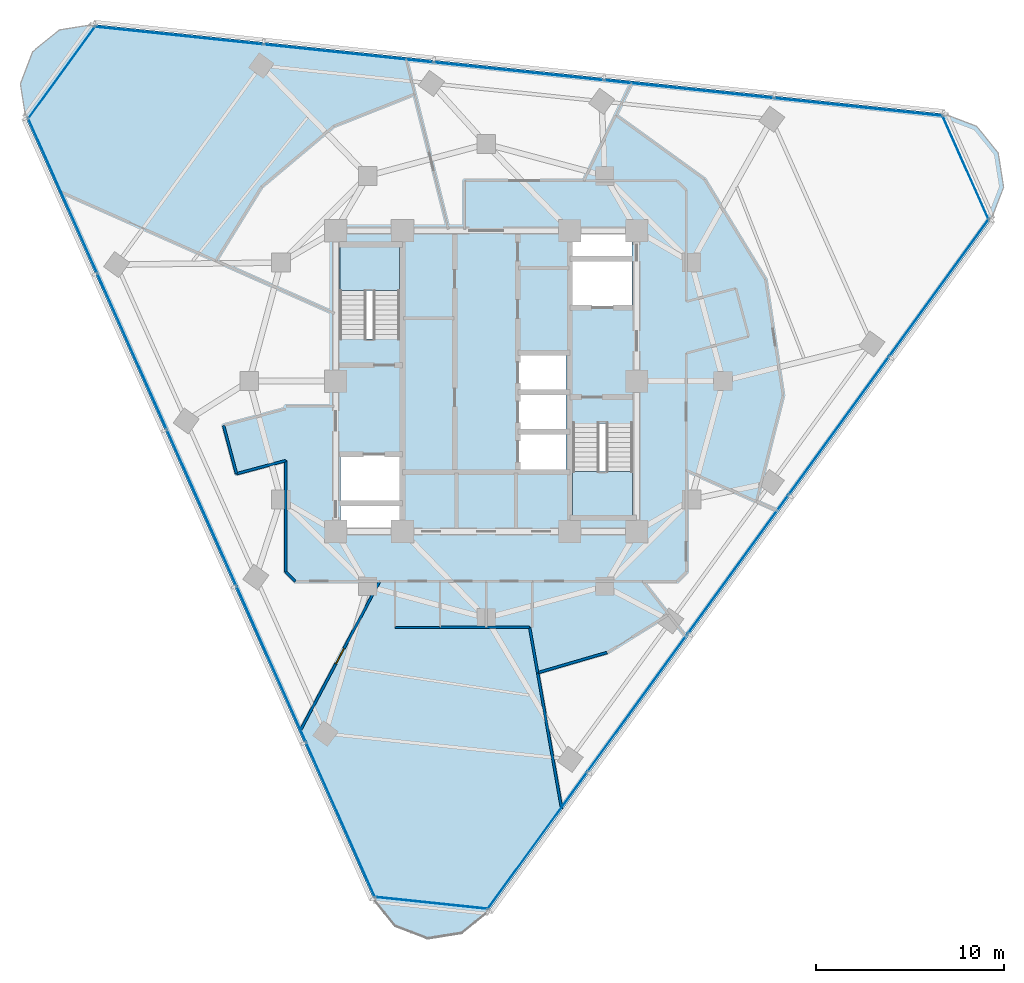
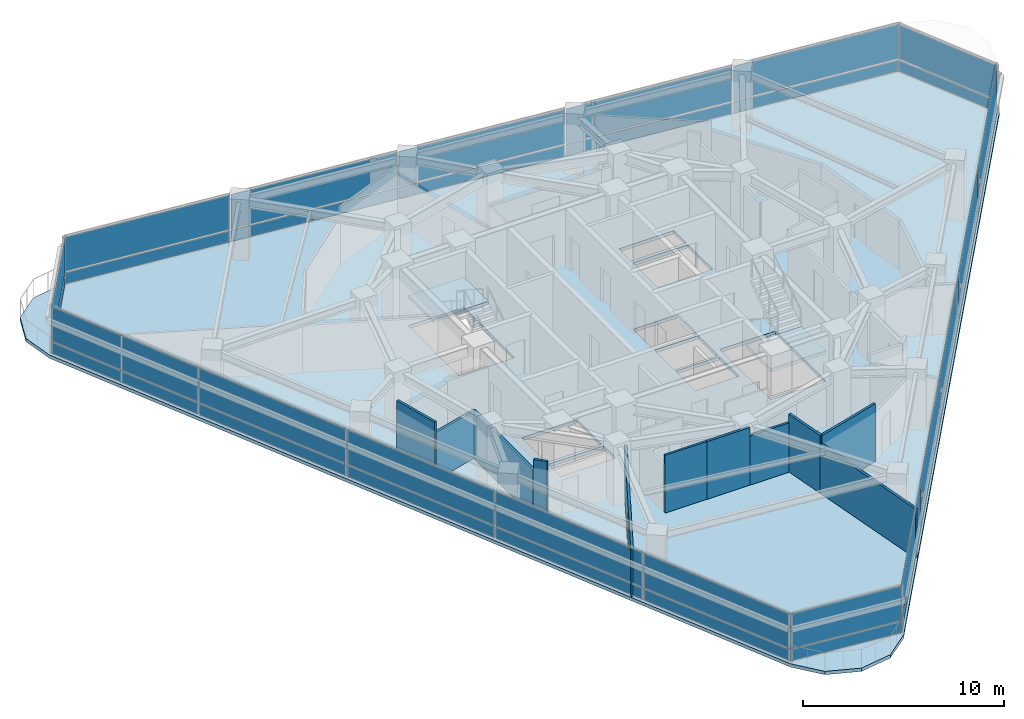
# One storey, part 7 of 15: 36 plates, 11 walls, 3 slabs, 1 door, 1 opening, 8 elements without a shape of their own.
"""IFC4 building model written with IfcOpenShell, lengths in metres."""

from ifc_helpers import new_model, si_unit, direction, frame, frame_2d, origin, origin_2d, place, context, subcontext, project, spatial, polyline, rectangle, outline, extrude, material, layer, layer_set, type_object, element, fill, aggregate, save


model = new_model("IFC4")

# Units and contexts
model_context = context("Model", 3, precision=1e-05, world=origin(), true_north=direction((0.0, 1.0)))
body_context = subcontext(model_context, "Body", "Model", "MODEL_VIEW")
ifc_project = project(units=[si_unit("LENGTHUNIT", "METRE"), si_unit("AREAUNIT", "SQUARE_METRE"), si_unit("VOLUMEUNIT", "CUBIC_METRE"), si_unit("PLANEANGLEUNIT", "RADIAN"), si_unit("MASSUNIT", "GRAM", prefix="KILO")], contexts=[model_context])

# Site, building, storey
site_placement = place(None, origin())
site = spatial("IfcSite", under=ifc_project, at=site_placement, CompositionType="ELEMENT")
building_placement = place(site_placement, origin())
building = spatial("IfcBuilding", under=site, at=building_placement, Name="Terralouvre Media Tower", CompositionType="ELEMENT")
storey_placement = place(building_placement, frame((0.0, 0.0, 237.39990234375)))
storey = spatial("IfcBuildingStorey", under=building, at=storey_placement, Name="L61", CompositionType="ELEMENT", Elevation=237.39990234375)

# Slab
ifc_material_1 = material(Name="Concrete C40/50", Category="concrete")
ifc_layer_1 = layer(ifc_material_1, 0.199951171875, Name="Composite Tower Floor Slab S-TYP200")
ifc_layer_set_1 = layer_set([ifc_layer_1], Name="Concrete C40/50")
slab_type_1 = type_object("IfcSlabType", Name="Composite Tower Floor Slab S-TYP200", PredefinedType="FLOOR", material=ifc_layer_set_1)
slab_1_placement = place(storey_placement, frame((0.0, 0.0, -0.199951171875), z_axis=(0.0, 0.0, 1.0), x_axis=(0.587785252292, 0.809016994375, 0.0)))
element("IfcSlab", 1, at=slab_1_placement, inside=storey, type_object=slab_type_1, Name="L61 Structural Floor Slab", PredefinedType="FLOOR", context=body_context, shape_type="SweptSolid", body=[
    extrude(outline(polyline([(-25.824462890625, -11.359619140625), (-26.300048828125, -13.134765625), (-25.824462890625, -14.90966796875), (-24.52490234375, -16.209228515625), (-22.75, -16.684814453125), (22.75, -16.684814453125), (24.52490234375, -16.209228515625), (25.824462890625, -14.90966796875), (26.300048828125, -13.134765625), (25.824462890625, -11.359619140625), (3.074462890625, 28.04443359375), (1.77490234375, 29.34375), (0.0, 29.8193359375), (-1.77490234375, 29.34375), (-3.074462890625, 28.04443359375), (-25.824462890625, -11.359619140625)]), holes=[polyline([(-8.043212890625, -0.157958984375), (-9.01416015625, -0.86328125), (-10.86572265625, 1.68505859375), (-9.894775390625, 2.390380859375), (-8.043212890625, -0.157958984375)]), polyline([(-5.8994140625, 1.399658203125), (-7.881591796875, -0.040283203125), (-9.733154296875, 2.508056640625), (-7.7509765625, 3.9482421875), (-5.8994140625, 1.399658203125)]), polyline([(-3.169677734375, -7.98876953125), (0.887451171875, -5.041015625), (2.7568359375, -7.61376953125), (-1.300537109375, -10.5615234375), (-3.169677734375, -7.98876953125)]), polyline([(0.2490234375, -5.072265625), (-1.320556640625, -6.212646484375), (-2.7900390625, -4.190185546875), (-1.220458984375, -3.0498046875), (0.2490234375, -5.072265625)]), polyline([(1.947998046875, -3.838134765625), (0.37841796875, -4.978271484375), (-1.091064453125, -2.955810546875), (0.478515625, -1.8154296875), (1.947998046875, -3.838134765625)]), polyline([(3.64697265625, -2.603759765625), (2.077392578125, -3.743896484375), (0.60791015625, -1.721435546875), (2.177490234375, -0.5810546875), (3.64697265625, -2.603759765625)]), polyline([(3.169677734375, 7.98876953125), (-0.887451171875, 5.041015625), (-2.7568359375, 7.61376953125), (1.300537109375, 10.5615234375), (3.169677734375, 7.98876953125)]), polyline([(7.7509765625, -3.9482421875), (5.8994140625, -1.399658203125), (7.881591796875, 0.040283203125), (9.733154296875, -2.508056640625), (7.7509765625, -3.9482421875)]), polyline([(9.894775390625, -2.390380859375), (8.043212890625, 0.157958984375), (9.01416015625, 0.86328125), (10.86572265625, -1.68505859375), (9.894775390625, -2.390380859375)])]), origin(), (0.0, 0.0, 1.0), 0.199951171875),
])

# Stair, slab
ifc_material_2 = material(Name="Concrete C45/55", Category="concrete")
stair_type_1 = type_object("IfcStairType", Name="Dogleg Stair Assembly ST-01", PredefinedType="HALF_TURN_STAIR", material=ifc_material_2)
stair_1_placement = place(storey_placement, origin())
stair_1 = element("IfcStair", 2, at=stair_1_placement, inside=storey, type_object=stair_type_1, Name="L61 Core Pressurised Exit Stair ST-01", PredefinedType="HALF_TURN_STAIR")
ifc_material_3 = material(Name="Concrete C45/55", Category="concrete")
ifc_layer_2 = layer(ifc_material_3, 0.199951171875, Name="Reinforced Concrete Stair Half-Landing SL-LD1")
ifc_layer_set_2 = layer_set([ifc_layer_2], Name="Concrete C45/55")
slab_type_2 = type_object("IfcSlabType", Name="Reinforced Concrete Stair Half-Landing SL-LD1", PredefinedType="LANDING", material=ifc_layer_set_2)
slab_2_placement = place(storey_placement, frame((0.0, 0.0, 1.650146484375)))
slab_2 = element("IfcSlab", 3, at=slab_2_placement, type_object=slab_type_2, Name="ST-01 landing 1", PredefinedType="LANDING", context=body_context, shape_type="SweptSolid", body=[
    extrude(outline(polyline([(-4.60009765625, 4.820068359375), (-4.60009765625, 7.260009765625), (-7.780029296875, 7.260009765625), (-7.780029296875, 4.820068359375), (-4.60009765625, 4.820068359375)])), origin(), (0.0, 0.0, 1.0), 0.199951171875),
])
aggregate(stair_1, [slab_2])

ifc_material_4 = material(Name="Concrete C45/55", Category="concrete")
stair_type_2 = type_object("IfcStairType", Name="Dogleg Stair Assembly ST-02", PredefinedType="HALF_TURN_STAIR", material=ifc_material_4)
stair_2_placement = place(storey_placement, origin())
stair_2 = element("IfcStair", 4, at=stair_2_placement, inside=storey, type_object=stair_type_2, Name="L61 Core Pressurised Exit Stair ST-02", PredefinedType="HALF_TURN_STAIR")
slab_3_placement = place(storey_placement, frame((0.0, 0.0, 1.650146484375)))
slab_3 = element("IfcSlab", 5, at=slab_3_placement, type_object=slab_type_2, Name="ST-02 landing 1", PredefinedType="LANDING", context=body_context, shape_type="SweptSolid", body=[
    extrude(outline(polyline([(4.60009765625, -4.820068359375), (4.60009765625, -7.260009765625), (7.780029296875, -7.260009765625), (7.780029296875, -4.820068359375), (4.60009765625, -4.820068359375)])), origin(), (0.0, 0.0, 1.0), 0.199951171875),
])
aggregate(stair_2, [slab_3])

# Curtain wall, plates
ifc_material_5 = material(Name="Low-iron laminated double glazing with solar-control coating", Category="glass")
ifc_layer_3 = layer(ifc_material_5, 0.1650390625, Name="Rounded Wind-Corner Curved Glazing CW-04")
ifc_layer_set_3 = layer_set([ifc_layer_3], Name="Low-iron laminated double glazing with solar-control coating")
curtain_wall_type_1 = type_object("IfcCurtainWallType", Name="Rounded Wind-Corner Curved Glazing CW-04", PredefinedType="NOTDEFINED", material=ifc_layer_set_3)
curtain_wall_1_placement = place(storey_placement, origin())
curtain_wall_1 = element("IfcCurtainWall", 6, at=curtain_wall_1_placement, inside=storey, type_object=curtain_wall_type_1, Name="L61 Rounded Wind-Corner Curtain Wall C0", PredefinedType="NOTDEFINED")
ifc_material_6 = material(Name="Low-iron laminated double glazing with solar-control coating", Category="glass")
ifc_layer_4 = layer(ifc_material_6, 0.0400390625, Name="Rounded Corner Laminated Vision Panel CWP-03")
ifc_layer_set_4 = layer_set([ifc_layer_4], Name="Low-iron laminated double glazing with solar-control coating")
plate_type_1 = type_object("IfcPlateType", Name="Rounded Corner Laminated Vision Panel CWP-03", PredefinedType="CURTAIN_PANEL", material=ifc_layer_set_4)
plate_1_placement = place(storey_placement, frame((-2.916748046875, -27.75146484375, 0.0751953125), z_axis=(0.0, 0.0, 1.0), x_axis=(0.994521944551, -0.104527995322, 0.0)))
plate_1 = element("IfcPlate", 7, at=plate_1_placement, type_object=plate_type_1, Name="CW-04 panel 1.1", PredefinedType="CURTAIN_PANEL", context=body_context, shape_type="SweptSolid", body=[
    extrude(rectangle(XDim=5.998779296875, YDim=0.035888671875, at=origin_2d()), origin(), (0.0, 0.0, 1.0), 0.6875),
])
plate_2_placement = place(storey_placement, frame((-2.916748046875, -27.75146484375, 0.837646484375), z_axis=(0.0, 0.0, 1.0), x_axis=(0.994521944551, -0.104527995322, 0.0)))
plate_2 = element("IfcPlate", 8, at=plate_2_placement, type_object=plate_type_1, Name="CW-04 panel 1.2", PredefinedType="CURTAIN_PANEL", context=body_context, shape_type="SweptSolid", body=[
    extrude(rectangle(XDim=5.998779296875, YDim=0.035888671875, at=origin_2d()), origin(), (0.0, 0.0, 1.0), 2.08740234375),
])
aggregate(curtain_wall_1, [plate_1, plate_2])

curtain_wall_2_placement = place(storey_placement, origin())
curtain_wall_2 = element("IfcCurtainWall", 9, at=curtain_wall_2_placement, inside=storey, type_object=curtain_wall_type_1, Name="L61 Rounded Wind-Corner Curtain Wall C1", PredefinedType="NOTDEFINED")
plate_3_placement = place(storey_placement, frame((25.491943359375, 11.349853515625, 0.0751953125), z_axis=(0.0, 0.0, 1.0), x_axis=(-0.406737441315, 0.913545102243, 0.0)))
plate_3 = element("IfcPlate", 10, at=plate_3_placement, type_object=plate_type_1, Name="CW-04 panel 1.1", PredefinedType="CURTAIN_PANEL", context=body_context, shape_type="SweptSolid", body=[
    extrude(rectangle(XDim=5.998779296875, YDim=0.035888671875, at=origin_2d()), origin(), (0.0, 0.0, 1.0), 0.6875),
])
plate_4_placement = place(storey_placement, frame((25.491943359375, 11.349853515625, 0.837646484375), z_axis=(0.0, 0.0, 1.0), x_axis=(-0.406737441315, 0.913545102243, 0.0)))
plate_4 = element("IfcPlate", 11, at=plate_4_placement, type_object=plate_type_1, Name="CW-04 panel 1.2", PredefinedType="CURTAIN_PANEL", context=body_context, shape_type="SweptSolid", body=[
    extrude(rectangle(XDim=5.998779296875, YDim=0.035888671875, at=origin_2d()), origin(), (0.0, 0.0, 1.0), 2.08740234375),
])
aggregate(curtain_wall_2, [plate_3, plate_4])

curtain_wall_3_placement = place(storey_placement, origin())
curtain_wall_3 = element("IfcCurtainWall", 12, at=curtain_wall_3_placement, inside=storey, type_object=curtain_wall_type_1, Name="L61 Rounded Wind-Corner Curtain Wall C2", PredefinedType="NOTDEFINED")
plate_5_placement = place(storey_placement, frame((-22.5751953125, 16.40185546875, 0.0751953125), z_axis=(0.0, 0.0, 1.0), x_axis=(-0.58778588998, -0.809016531067, 0.0)))
plate_5 = element("IfcPlate", 13, at=plate_5_placement, type_object=plate_type_1, Name="CW-04 panel 1.1", PredefinedType="CURTAIN_PANEL", context=body_context, shape_type="SweptSolid", body=[
    extrude(rectangle(XDim=5.998779296875, YDim=0.035888671875, at=origin_2d()), origin(), (0.0, 0.0, 1.0), 0.6875),
])
plate_6_placement = place(storey_placement, frame((-22.5751953125, 16.40185546875, 0.837646484375), z_axis=(0.0, 0.0, 1.0), x_axis=(-0.58778588998, -0.809016531067, 0.0)))
plate_6 = element("IfcPlate", 14, at=plate_6_placement, type_object=plate_type_1, Name="CW-04 panel 1.2", PredefinedType="CURTAIN_PANEL", context=body_context, shape_type="SweptSolid", body=[
    extrude(rectangle(XDim=5.998779296875, YDim=0.035888671875, at=origin_2d()), origin(), (0.0, 0.0, 1.0), 2.08740234375),
])
aggregate(curtain_wall_3, [plate_5, plate_6])

ifc_material_7 = material(Name="Low-iron laminated double glazing with solar-control coating", Category="glass")
ifc_layer_5 = layer(ifc_material_7, 0.1650390625, Name="Upper Executive Tower Curtain Wall CW-05")
ifc_layer_set_5 = layer_set([ifc_layer_5], Name="Low-iron laminated double glazing with solar-control coating")
curtain_wall_type_2 = type_object("IfcCurtainWallType", Name="Upper Executive Tower Curtain Wall CW-05", PredefinedType="NOTDEFINED", material=ifc_layer_set_5)
curtain_wall_4_placement = place(storey_placement, origin())
curtain_wall_4 = element("IfcCurtainWall", 15, at=curtain_wall_4_placement, inside=storey, type_object=curtain_wall_type_2, Name="L61 Facade Curtain Wall F0", PredefinedType="NOTDEFINED")
ifc_material_8 = material(Name="Low-iron laminated double glazing with solar-control coating", Category="glass")
ifc_layer_6 = layer(ifc_material_8, 0.035888671875, Name="Vision Double-Glazed Unit CWP-01")
ifc_layer_set_6 = layer_set([ifc_layer_6], Name="Low-iron laminated double glazing with solar-control coating")
plate_type_2 = type_object("IfcPlateType", Name="Vision Double-Glazed Unit CWP-01", PredefinedType="CURTAIN_PANEL", material=ifc_layer_set_6)
plate_7_placement = place(storey_placement, frame((2.71435546875, -24.4453125, 0.0751953125), z_axis=(0.0, 0.0, 1.0), x_axis=(0.587785300879, 0.809016959074, 0.0)))
plate_7 = element("IfcPlate", 16, at=plate_7_placement, type_object=plate_type_2, Name="CW-05 panel 1.1", PredefinedType="CURTAIN_PANEL", context=body_context, shape_type="SweptSolid", body=[
    extrude(rectangle(XDim=8.987548828125, YDim=0.035888671875, at=origin_2d()), origin(), (0.0, 0.0, 1.0), 0.6875),
])
plate_8_placement = place(storey_placement, frame((2.71435546875, -24.4453125, 0.837646484375), z_axis=(0.0, 0.0, 1.0), x_axis=(0.587785300879, 0.809016959074, 0.0)))
plate_8 = element("IfcPlate", 17, at=plate_8_placement, type_object=plate_type_2, Name="CW-05 panel 1.2", PredefinedType="CURTAIN_PANEL", context=body_context, shape_type="SweptSolid", body=[
    extrude(rectangle(XDim=8.987548828125, YDim=0.035888671875, at=origin_2d()), origin(), (0.0, 0.0, 1.0), 2.08740234375),
])
plate_9_placement = place(storey_placement, frame((8.05224609375, -17.0986328125, 0.0751953125), z_axis=(0.0, 0.0, 1.0), x_axis=(0.587785300879, 0.809016959074, 0.0)))
plate_9 = element("IfcPlate", 18, at=plate_9_placement, type_object=plate_type_2, Name="CW-05 panel 2.1", PredefinedType="CURTAIN_PANEL", context=body_context, shape_type="SweptSolid", body=[
    extrude(rectangle(XDim=9.02490234375, YDim=0.035888671875, at=origin_2d()), origin(), (0.0, 0.0, 1.0), 0.6875),
])
plate_10_placement = place(storey_placement, frame((8.05224609375, -17.0986328125, 0.837646484375), z_axis=(0.0, 0.0, 1.0), x_axis=(0.587785300879, 0.809016959074, 0.0)))
plate_10 = element("IfcPlate", 19, at=plate_10_placement, type_object=plate_type_2, Name="CW-05 panel 2.2", PredefinedType="CURTAIN_PANEL", context=body_context, shape_type="SweptSolid", body=[
    extrude(rectangle(XDim=9.02490234375, YDim=0.035888671875, at=origin_2d()), origin(), (0.0, 0.0, 1.0), 2.08740234375),
])
plate_11_placement = place(storey_placement, frame((13.401123046875, -9.736572265625, 0.0751953125), z_axis=(0.0, 0.0, 1.0), x_axis=(0.587785300879, 0.809016959074, 0.0)))
plate_11 = element("IfcPlate", 20, at=plate_11_placement, type_object=plate_type_2, Name="CW-05 panel 3.1", PredefinedType="CURTAIN_PANEL", context=body_context, shape_type="SweptSolid", body=[
    extrude(rectangle(XDim=9.02490234375, YDim=0.035888671875, at=origin_2d()), origin(), (0.0, 0.0, 1.0), 0.6875),
])
plate_12_placement = place(storey_placement, frame((13.401123046875, -9.736572265625, 0.837646484375), z_axis=(0.0, 0.0, 1.0), x_axis=(0.587785300879, 0.809016959074, 0.0)))
plate_12 = element("IfcPlate", 21, at=plate_12_placement, type_object=plate_type_2, Name="CW-05 panel 3.2", PredefinedType="CURTAIN_PANEL", context=body_context, shape_type="SweptSolid", body=[
    extrude(rectangle(XDim=9.02490234375, YDim=0.035888671875, at=origin_2d()), origin(), (0.0, 0.0, 1.0), 2.08740234375),
])
plate_13_placement = place(storey_placement, frame((18.75, -2.37451171875, 0.0751953125), z_axis=(0.0, 0.0, 1.0), x_axis=(0.587785300879, 0.809016959074, 0.0)))
plate_13 = element("IfcPlate", 22, at=plate_13_placement, type_object=plate_type_2, Name="CW-05 panel 4.1", PredefinedType="CURTAIN_PANEL", context=body_context, shape_type="SweptSolid", body=[
    extrude(rectangle(XDim=9.02490234375, YDim=0.035888671875, at=origin_2d()), origin(), (0.0, 0.0, 1.0), 0.6875),
])
plate_14_placement = place(storey_placement, frame((18.75, -2.37451171875, 0.837646484375), z_axis=(0.0, 0.0, 1.0), x_axis=(0.587785300879, 0.809016959074, 0.0)))
plate_14 = element("IfcPlate", 23, at=plate_14_placement, type_object=plate_type_2, Name="CW-05 panel 4.2", PredefinedType="CURTAIN_PANEL", context=body_context, shape_type="SweptSolid", body=[
    extrude(rectangle(XDim=9.02490234375, YDim=0.035888671875, at=origin_2d()), origin(), (0.0, 0.0, 1.0), 2.08740234375),
])
plate_15_placement = place(storey_placement, frame((24.087890625, 4.972412109375, 0.0751953125), z_axis=(0.0, 0.0, 1.0), x_axis=(0.587785300879, 0.809016959074, 0.0)))
plate_15 = element("IfcPlate", 24, at=plate_15_placement, type_object=plate_type_2, Name="CW-05 panel 5.1", PredefinedType="CURTAIN_PANEL", context=body_context, shape_type="SweptSolid", body=[
    extrude(rectangle(XDim=8.987548828125, YDim=0.035888671875, at=origin_2d()), origin(), (0.0, 0.0, 1.0), 0.6875),
])
plate_16_placement = place(storey_placement, frame((24.087890625, 4.972412109375, 0.837646484375), z_axis=(0.0, 0.0, 1.0), x_axis=(0.587785300879, 0.809016959074, 0.0)))
plate_16 = element("IfcPlate", 25, at=plate_16_placement, type_object=plate_type_2, Name="CW-05 panel 5.2", PredefinedType="CURTAIN_PANEL", context=body_context, shape_type="SweptSolid", body=[
    extrude(rectangle(XDim=8.987548828125, YDim=0.035888671875, at=origin_2d()), origin(), (0.0, 0.0, 1.0), 2.08740234375),
])
aggregate(curtain_wall_4, [plate_7, plate_8, plate_9, plate_10, plate_11, plate_12, plate_13, plate_14, plate_15, plate_16])

curtain_wall_5_placement = place(storey_placement, origin())
curtain_wall_5 = element("IfcCurtainWall", 26, at=curtain_wall_5_placement, inside=storey, type_object=curtain_wall_type_2, Name="L61 Facade Curtain Wall F1", PredefinedType="NOTDEFINED")
plate_17_placement = place(storey_placement, frame((19.813232421875, 14.573486328125, 0.0751953125), z_axis=(0.0, 0.0, 1.0), x_axis=(-0.994521885028, 0.104528561651, 0.0)))
plate_17 = element("IfcPlate", 27, at=plate_17_placement, type_object=plate_type_2, Name="CW-05 panel 1.1", PredefinedType="CURTAIN_PANEL", context=body_context, shape_type="SweptSolid", body=[
    extrude(rectangle(XDim=8.987548828125, YDim=0.035888671875, at=origin_2d()), origin(), (0.0, 0.0, 1.0), 0.6875),
])
plate_18_placement = place(storey_placement, frame((19.813232421875, 14.573486328125, 0.837646484375), z_axis=(0.0, 0.0, 1.0), x_axis=(-0.994521885028, 0.104528561651, 0.0)))
plate_18 = element("IfcPlate", 28, at=plate_18_placement, type_object=plate_type_2, Name="CW-05 panel 1.2", PredefinedType="CURTAIN_PANEL", context=body_context, shape_type="SweptSolid", body=[
    extrude(rectangle(XDim=8.987548828125, YDim=0.035888671875, at=origin_2d()), origin(), (0.0, 0.0, 1.0), 2.08740234375),
])
plate_19_placement = place(storey_placement, frame((10.78173828125, 15.522705078125, 0.0751953125), z_axis=(0.0, 0.0, 1.0), x_axis=(-0.994521885028, 0.104528561651, 0.0)))
plate_19 = element("IfcPlate", 29, at=plate_19_placement, type_object=plate_type_2, Name="CW-05 panel 2.1", PredefinedType="CURTAIN_PANEL", context=body_context, shape_type="SweptSolid", body=[
    extrude(rectangle(XDim=9.02490234375, YDim=0.035888671875, at=origin_2d()), origin(), (0.0, 0.0, 1.0), 0.6875),
])
plate_20_placement = place(storey_placement, frame((10.78173828125, 15.522705078125, 0.837646484375), z_axis=(0.0, 0.0, 1.0), x_axis=(-0.994521885028, 0.104528561651, 0.0)))
plate_20 = element("IfcPlate", 30, at=plate_20_placement, type_object=plate_type_2, Name="CW-05 panel 2.2", PredefinedType="CURTAIN_PANEL", context=body_context, shape_type="SweptSolid", body=[
    extrude(rectangle(XDim=9.02490234375, YDim=0.035888671875, at=origin_2d()), origin(), (0.0, 0.0, 1.0), 2.08740234375),
])
plate_21_placement = place(storey_placement, frame((1.7314453125, 16.473876953125, 0.0751953125), z_axis=(0.0, 0.0, 1.0), x_axis=(-0.994521885028, 0.104528561651, 0.0)))
plate_21 = element("IfcPlate", 31, at=plate_21_placement, type_object=plate_type_2, Name="CW-05 panel 3.1", PredefinedType="CURTAIN_PANEL", context=body_context, shape_type="SweptSolid", body=[
    extrude(rectangle(XDim=9.02490234375, YDim=0.035888671875, at=origin_2d()), origin(), (0.0, 0.0, 1.0), 0.6875),
])
plate_22_placement = place(storey_placement, frame((1.7314453125, 16.473876953125, 0.837646484375), z_axis=(0.0, 0.0, 1.0), x_axis=(-0.994521885028, 0.104528561651, 0.0)))
plate_22 = element("IfcPlate", 32, at=plate_22_placement, type_object=plate_type_2, Name="CW-05 panel 3.2", PredefinedType="CURTAIN_PANEL", context=body_context, shape_type="SweptSolid", body=[
    extrude(rectangle(XDim=9.02490234375, YDim=0.035888671875, at=origin_2d()), origin(), (0.0, 0.0, 1.0), 2.08740234375),
])
plate_23_placement = place(storey_placement, frame((-7.318603515625, 17.42529296875, 0.0751953125), z_axis=(0.0, 0.0, 1.0), x_axis=(-0.994521885028, 0.104528561651, 0.0)))
plate_23 = element("IfcPlate", 33, at=plate_23_placement, type_object=plate_type_2, Name="CW-05 panel 4.1", PredefinedType="CURTAIN_PANEL", context=body_context, shape_type="SweptSolid", body=[
    extrude(rectangle(XDim=9.02490234375, YDim=0.035888671875, at=origin_2d()), origin(), (0.0, 0.0, 1.0), 0.6875),
])
plate_24_placement = place(storey_placement, frame((-7.318603515625, 17.42529296875, 0.837646484375), z_axis=(0.0, 0.0, 1.0), x_axis=(-0.994521885028, 0.104528561651, 0.0)))
plate_24 = element("IfcPlate", 34, at=plate_24_placement, type_object=plate_type_2, Name="CW-05 panel 4.2", PredefinedType="CURTAIN_PANEL", context=body_context, shape_type="SweptSolid", body=[
    extrude(rectangle(XDim=9.02490234375, YDim=0.035888671875, at=origin_2d()), origin(), (0.0, 0.0, 1.0), 2.08740234375),
])
plate_25_placement = place(storey_placement, frame((-16.35009765625, 18.37451171875, 0.0751953125), z_axis=(0.0, 0.0, 1.0), x_axis=(-0.994521885028, 0.104528561651, 0.0)))
plate_25 = element("IfcPlate", 35, at=plate_25_placement, type_object=plate_type_2, Name="CW-05 panel 5.1", PredefinedType="CURTAIN_PANEL", context=body_context, shape_type="SweptSolid", body=[
    extrude(rectangle(XDim=8.987548828125, YDim=0.035888671875, at=origin_2d()), origin(), (0.0, 0.0, 1.0), 0.6875),
])
plate_26_placement = place(storey_placement, frame((-16.35009765625, 18.37451171875, 0.837646484375), z_axis=(0.0, 0.0, 1.0), x_axis=(-0.994521885028, 0.104528561651, 0.0)))
plate_26 = element("IfcPlate", 36, at=plate_26_placement, type_object=plate_type_2, Name="CW-05 panel 5.2", PredefinedType="CURTAIN_PANEL", context=body_context, shape_type="SweptSolid", body=[
    extrude(rectangle(XDim=8.987548828125, YDim=0.035888671875, at=origin_2d()), origin(), (0.0, 0.0, 1.0), 2.08740234375),
])
aggregate(curtain_wall_5, [plate_17, plate_18, plate_19, plate_20, plate_21, plate_22, plate_23, plate_24, plate_25, plate_26])

curtain_wall_6_placement = place(storey_placement, origin())
curtain_wall_6 = element("IfcCurtainWall", 37, at=curtain_wall_6_placement, inside=storey, type_object=curtain_wall_type_2, Name="L61 Facade Curtain Wall F2", PredefinedType="NOTDEFINED")
plate_27_placement = place(storey_placement, frame((-22.527587890625, 9.871826171875, 0.0751953125), z_axis=(0.0, 0.0, 1.0), x_axis=(0.406736679636, -0.913545441365, 0.0)))
plate_27 = element("IfcPlate", 38, at=plate_27_placement, type_object=plate_type_2, Name="CW-05 panel 1.1", PredefinedType="CURTAIN_PANEL", context=body_context, shape_type="SweptSolid", body=[
    extrude(rectangle(XDim=8.987548828125, YDim=0.035888671875, at=origin_2d()), origin(), (0.0, 0.0, 1.0), 0.6875),
])
plate_28_placement = place(storey_placement, frame((-22.527587890625, 9.871826171875, 0.837646484375), z_axis=(0.0, 0.0, 1.0), x_axis=(0.406736679636, -0.913545441365, 0.0)))
plate_28 = element("IfcPlate", 39, at=plate_28_placement, type_object=plate_type_2, Name="CW-05 panel 1.2", PredefinedType="CURTAIN_PANEL", context=body_context, shape_type="SweptSolid", body=[
    extrude(rectangle(XDim=8.987548828125, YDim=0.035888671875, at=origin_2d()), origin(), (0.0, 0.0, 1.0), 2.08740234375),
])
plate_29_placement = place(storey_placement, frame((-18.833984375, 1.57568359375, 0.0751953125), z_axis=(0.0, 0.0, 1.0), x_axis=(0.406736679636, -0.913545441365, 0.0)))
plate_29 = element("IfcPlate", 40, at=plate_29_placement, type_object=plate_type_2, Name="CW-05 panel 2.1", PredefinedType="CURTAIN_PANEL", context=body_context, shape_type="SweptSolid", body=[
    extrude(rectangle(XDim=9.02490234375, YDim=0.035888671875, at=origin_2d()), origin(), (0.0, 0.0, 1.0), 0.6875),
])
plate_30_placement = place(storey_placement, frame((-18.833984375, 1.57568359375, 0.837646484375), z_axis=(0.0, 0.0, 1.0), x_axis=(0.406736679636, -0.913545441365, 0.0)))
plate_30 = element("IfcPlate", 41, at=plate_30_placement, type_object=plate_type_2, Name="CW-05 panel 2.2", PredefinedType="CURTAIN_PANEL", context=body_context, shape_type="SweptSolid", body=[
    extrude(rectangle(XDim=9.02490234375, YDim=0.035888671875, at=origin_2d()), origin(), (0.0, 0.0, 1.0), 2.08740234375),
])
plate_31_placement = place(storey_placement, frame((-15.132568359375, -6.737548828125, 0.0751953125), z_axis=(0.0, 0.0, 1.0), x_axis=(0.406736679636, -0.913545441365, 0.0)))
plate_31 = element("IfcPlate", 42, at=plate_31_placement, type_object=plate_type_2, Name="CW-05 panel 3.1", PredefinedType="CURTAIN_PANEL", context=body_context, shape_type="SweptSolid", body=[
    extrude(rectangle(XDim=9.02490234375, YDim=0.035888671875, at=origin_2d()), origin(), (0.0, 0.0, 1.0), 0.6875),
])
plate_32_placement = place(storey_placement, frame((-15.132568359375, -6.737548828125, 0.837646484375), z_axis=(0.0, 0.0, 1.0), x_axis=(0.406736679636, -0.913545441365, 0.0)))
plate_32 = element("IfcPlate", 43, at=plate_32_placement, type_object=plate_type_2, Name="CW-05 panel 3.2", PredefinedType="CURTAIN_PANEL", context=body_context, shape_type="SweptSolid", body=[
    extrude(rectangle(XDim=9.02490234375, YDim=0.035888671875, at=origin_2d()), origin(), (0.0, 0.0, 1.0), 2.08740234375),
])
plate_33_placement = place(storey_placement, frame((-11.431396484375, -15.05078125, 0.0751953125), z_axis=(0.0, 0.0, 1.0), x_axis=(0.406736679636, -0.913545441365, 0.0)))
plate_33 = element("IfcPlate", 44, at=plate_33_placement, type_object=plate_type_2, Name="CW-05 panel 4.1", PredefinedType="CURTAIN_PANEL", context=body_context, shape_type="SweptSolid", body=[
    extrude(rectangle(XDim=9.02490234375, YDim=0.035888671875, at=origin_2d()), origin(), (0.0, 0.0, 1.0), 0.6875),
])
plate_34_placement = place(storey_placement, frame((-11.431396484375, -15.05078125, 0.837646484375), z_axis=(0.0, 0.0, 1.0), x_axis=(0.406736679636, -0.913545441365, 0.0)))
plate_34 = element("IfcPlate", 45, at=plate_34_placement, type_object=plate_type_2, Name="CW-05 panel 4.2", PredefinedType="CURTAIN_PANEL", context=body_context, shape_type="SweptSolid", body=[
    extrude(rectangle(XDim=9.02490234375, YDim=0.035888671875, at=origin_2d()), origin(), (0.0, 0.0, 1.0), 2.08740234375),
])
plate_35_placement = place(storey_placement, frame((-7.737548828125, -23.346923828125, 0.0751953125), z_axis=(0.0, 0.0, 1.0), x_axis=(0.406736679636, -0.913545441365, 0.0)))
plate_35 = element("IfcPlate", 46, at=plate_35_placement, type_object=plate_type_2, Name="CW-05 panel 5.1", PredefinedType="CURTAIN_PANEL", context=body_context, shape_type="SweptSolid", body=[
    extrude(rectangle(XDim=8.987548828125, YDim=0.035888671875, at=origin_2d()), origin(), (0.0, 0.0, 1.0), 0.6875),
])
plate_36_placement = place(storey_placement, frame((-7.737548828125, -23.346923828125, 0.837646484375), z_axis=(0.0, 0.0, 1.0), x_axis=(0.406736679636, -0.913545441365, 0.0)))
plate_36 = element("IfcPlate", 47, at=plate_36_placement, type_object=plate_type_2, Name="CW-05 panel 5.2", PredefinedType="CURTAIN_PANEL", context=body_context, shape_type="SweptSolid", body=[
    extrude(rectangle(XDim=8.987548828125, YDim=0.035888671875, at=origin_2d()), origin(), (0.0, 0.0, 1.0), 2.08740234375),
])
aggregate(curtain_wall_6, [plate_27, plate_28, plate_29, plate_30, plate_31, plate_32, plate_33, plate_34, plate_35, plate_36])

# Walls
ifc_material_9 = material(Name="Fire-rated gypsum board drywall partition")
ifc_layer_7 = layer(ifc_material_9, 0.135009765625, Name="Newsroom Acoustic Partition PT-135")
ifc_layer_set_7 = layer_set([ifc_layer_7], Name="Fire-rated gypsum board drywall partition")
wall_type_1 = type_object("IfcWallType", Name="Newsroom Acoustic Partition PT-135", PredefinedType="PARTITIONING", material=ifc_layer_set_7)
wall_1_placement = place(storey_placement, frame((-13.9619140625, -2.368896484375, 0.0), z_axis=(0.0, 0.0, 1.0), x_axis=(0.258413725385, -0.966034340245, 0.0)))
element("IfcWall", 48, at=wall_1_placement, inside=storey, type_object=wall_type_1, Name="L61 Interior Partition 003", PredefinedType="PARTITIONING", context=body_context, shape_type="SweptSolid", body=[
    extrude(rectangle(XDim=2.650146484375, YDim=0.135009765625, at=frame_2d((1.3251953125, 0.0))), origin(), (0.0, 0.0, 1.0), 3.5),
])
wall_2_placement = place(storey_placement, frame((-13.277099609375, -4.928955078125, 0.0), z_axis=(0.0, 0.0, 1.0), x_axis=(0.965934830229, 0.258785439601, 0.0)))
element("IfcWall", 49, at=wall_2_placement, inside=storey, type_object=wall_type_1, Name="L61 Interior Partition 004", PredefinedType="PARTITIONING", context=body_context, shape_type="SweptSolid", body=[
    extrude(rectangle(XDim=2.719970703125, YDim=0.135009765625, at=frame_2d((1.35986328125, 0.0))), origin(), (0.0, 0.0, 1.0), 2.885009765625),
])
wall_3_placement = place(storey_placement, frame((-10.64990234375, -4.22509765625, 0.0), z_axis=(0.0, 0.0, 1.0), x_axis=(0.0, -1.0, 0.0)))
element("IfcWall", 50, at=wall_3_placement, inside=storey, type_object=wall_type_1, Name="L61 Interior Partition 005", PredefinedType="PARTITIONING", context=body_context, shape_type="SweptSolid", body=[
    extrude(rectangle(XDim=5.9248046875, YDim=0.135009765625, at=frame_2d((2.96240234375, 0.0))), origin(), (0.0, 0.0, 1.0), 2.885009765625),
])
wall_4_placement = place(storey_placement, frame((-10.64990234375, -10.14990234375, 0.0), z_axis=(0.0, 0.0, 1.0), x_axis=(0.707106781187, -0.707106781187, 0.0)))
element("IfcWall", 51, at=wall_4_placement, inside=storey, type_object=wall_type_1, Name="L61 Interior Partition 006", PredefinedType="PARTITIONING", context=body_context, shape_type="SweptSolid", body=[
    extrude(rectangle(XDim=0.70703125, YDim=0.135009765625, at=frame_2d((0.353515625, 0.0))), origin(), (0.0, 0.0, 1.0), 3.5),
])

# Wall, opening, door
wall_5_placement = place(storey_placement, frame((-9.892822265625, -18.604736328125, 0.0), z_axis=(0.0, 0.0, 1.0), x_axis=(0.469478145305, 0.88294409284, 0.0)))
wall_5 = element("IfcWall", 52, at=wall_5_placement, inside=storey, type_object=wall_type_1, Name="L61 Interior Partition 025", PredefinedType="PARTITIONING", context=body_context, shape_type="SweptSolid", body=[
    extrude(rectangle(XDim=9.009521484375, YDim=0.135009765625, at=frame_2d((4.5048828125, 0.0))), origin(), (0.0, 0.0, 1.0), 2.885009765625),
])
opening_placement = place(wall_5_placement, frame((4.044677734375, 0.0, 0.0)))
opening = element("IfcOpeningElement", 53, at=opening_placement, cuts=wall_5, Name="Opening ID-03-92X210", PredefinedType="OPENING", context=body_context, shape_type="SweptSolid", body=[
    extrude(rectangle(XDim=0.919921875, YDim=2.10009765625, at=frame_2d((0.4599609375, 1.050048828125))), frame((0.0, 0.077392578125, 0.0), z_axis=(0.0, -1.0, 0.0), x_axis=(1.0, 0.0, 0.0)), (0.0, 0.0, 1.0), 0.155029296875),
])
ifc_material_10 = material(Name="Engineered hardwood acoustic timber leaf", Category="wood")
door_type = type_object("IfcDoorType", Name="Accessible Restroom and Suite Door ID-03 (920x2100)", OperationType="NOTDEFINED", PredefinedType="DOOR", material=ifc_material_10)
door_placement = place(opening_placement, origin())
door = element("IfcDoor", 54, at=door_placement, inside=storey, type_object=door_type, Name="L61 Investigative Team Office 3 Door", OperationType="SINGLE_SWING_RIGHT", OverallHeight=2.10009765625, OverallWidth=0.919921875, PredefinedType="DOOR", context=body_context, shape_type="SweptSolid", body=[
    extrude(rectangle(XDim=0.919921875, YDim=2.10009765625, at=frame_2d((0.4599609375, 1.050048828125))), frame((0.0, 0.02490234375, 0.0), z_axis=(0.0, -1.0, 0.0), x_axis=(1.0, 0.0, 0.0)), (0.0, 0.0, 1.0), 0.050048828125),
])
fill(opening, door)

# Walls
wall_6_placement = place(storey_placement, frame((0.0, -13.10009765625, 0.0), z_axis=(0.0, 0.0, 1.0), x_axis=(-1.0, 0.0, 0.0)))
element("IfcWall", 55, at=wall_6_placement, inside=storey, type_object=wall_type_1, Name="L61 Interior Partition 037", PredefinedType="PARTITIONING", context=body_context, shape_type="SweptSolid", body=[
    extrude(rectangle(XDim=2.449951171875, YDim=0.135009765625, at=frame_2d((1.22509765625, 0.0))), origin(), (0.0, 0.0, 1.0), 3.5),
])
wall_7_placement = place(storey_placement, frame((2.31005859375, -13.10009765625, 0.0), z_axis=(0.0, 0.0, 1.0), x_axis=(-1.0, 0.0, 0.0)))
element("IfcWall", 56, at=wall_7_placement, inside=storey, type_object=wall_type_1, Name="L61 Interior Partition 038", PredefinedType="PARTITIONING", context=body_context, shape_type="SweptSolid", body=[
    extrude(rectangle(XDim=2.31005859375, YDim=0.135009765625, at=frame_2d((1.155029296875, 0.0))), origin(), (0.0, 0.0, 1.0), 2.985107421875),
])
wall_8_placement = place(storey_placement, frame((4.008544921875, -22.732421875, 0.0), z_axis=(0.0, 0.0, 1.0), x_axis=(-0.173639103053, 0.984809353068, 0.0)))
element("IfcWall", 57, at=wall_8_placement, inside=storey, type_object=wall_type_1, Name="L61 Interior Partition 039", PredefinedType="PARTITIONING", context=body_context, shape_type="SweptSolid", body=[
    extrude(rectangle(XDim=7.333740234375, YDim=0.135009765625, at=frame_2d((3.6669921875, 0.0))), origin(), (0.0, 0.0, 1.0), 2.985107421875),
])
wall_9_placement = place(storey_placement, frame((2.735107421875, -15.510009765625, 0.0), z_axis=(0.0, 0.0, 1.0), x_axis=(-0.173694270709, 0.984799624453, 0.0)))
element("IfcWall", 58, at=wall_9_placement, inside=storey, type_object=wall_type_1, Name="L61 Interior Partition 040", PredefinedType="PARTITIONING", context=body_context, shape_type="SweptSolid", body=[
    extrude(rectangle(XDim=2.447021484375, YDim=0.135009765625, at=frame_2d((1.2236328125, 0.0))), origin(), (0.0, 0.0, 1.0), 3.5),
])
wall_10_placement = place(storey_placement, frame((6.426025390625, -14.43408203125, 0.0), z_axis=(0.0, 0.0, 1.0), x_axis=(-0.960041241254, -0.279858562654, 0.0)))
element("IfcWall", 59, at=wall_10_placement, inside=storey, type_object=wall_type_1, Name="L61 Interior Partition 044", PredefinedType="PARTITIONING", context=body_context, shape_type="SweptSolid", body=[
    extrude(rectangle(XDim=3.844482421875, YDim=0.135009765625, at=frame_2d((1.92236328125, 0.0))), origin(), (0.0, 0.0, 1.0), 3.5),
])
ifc_material_11 = material(Name="Fire-rated gypsum board drywall partition")
ifc_layer_8 = layer(ifc_material_11, 0.114990234375, Name="Restroom and Pantry Partition PT-115")
ifc_layer_set_8 = layer_set([ifc_layer_8], Name="Fire-rated gypsum board drywall partition")
wall_type_2 = type_object("IfcWallType", Name="Restroom and Pantry Partition PT-115", PredefinedType="PARTITIONING", material=ifc_layer_set_8)
wall_11_placement = place(storey_placement, frame((-4.85009765625, -13.10009765625, 0.0), z_axis=(0.0, 0.0, 1.0), x_axis=(1.0, 0.0, 0.0)))
element("IfcWall", 60, at=wall_11_placement, inside=storey, type_object=wall_type_2, Name="L61 Interior Partition 035", PredefinedType="PARTITIONING", context=body_context, shape_type="SweptSolid", body=[
    extrude(rectangle(XDim=2.400146484375, YDim=0.114990234375, at=frame_2d((1.2001953125, 0.0))), origin(), (0.0, 0.0, 1.0), 3.5),
])

save(model, "model.ifc")
